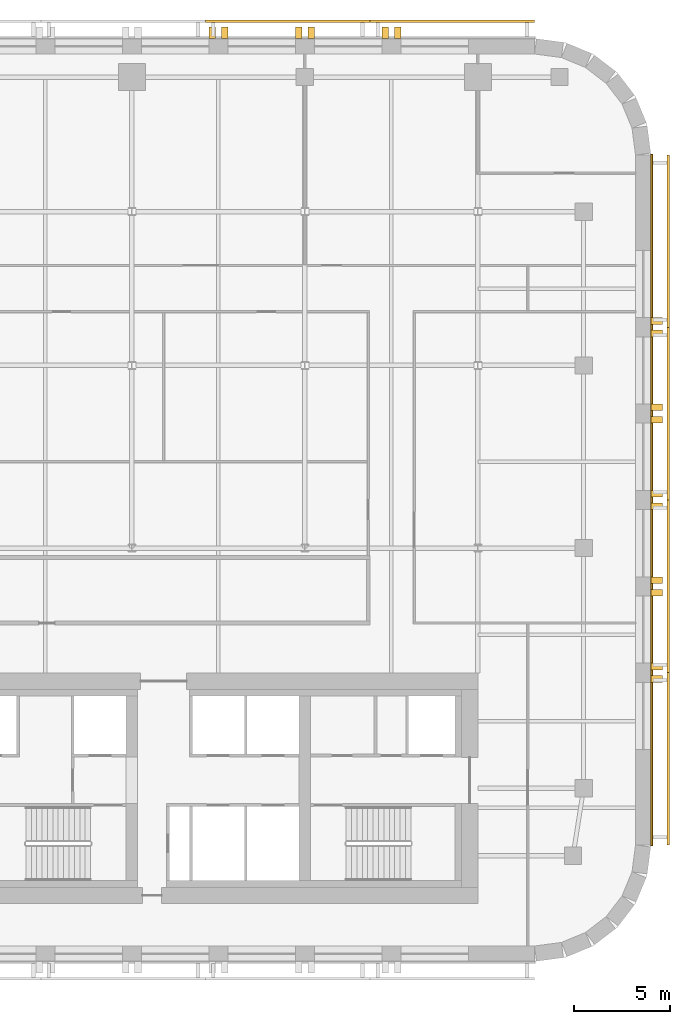
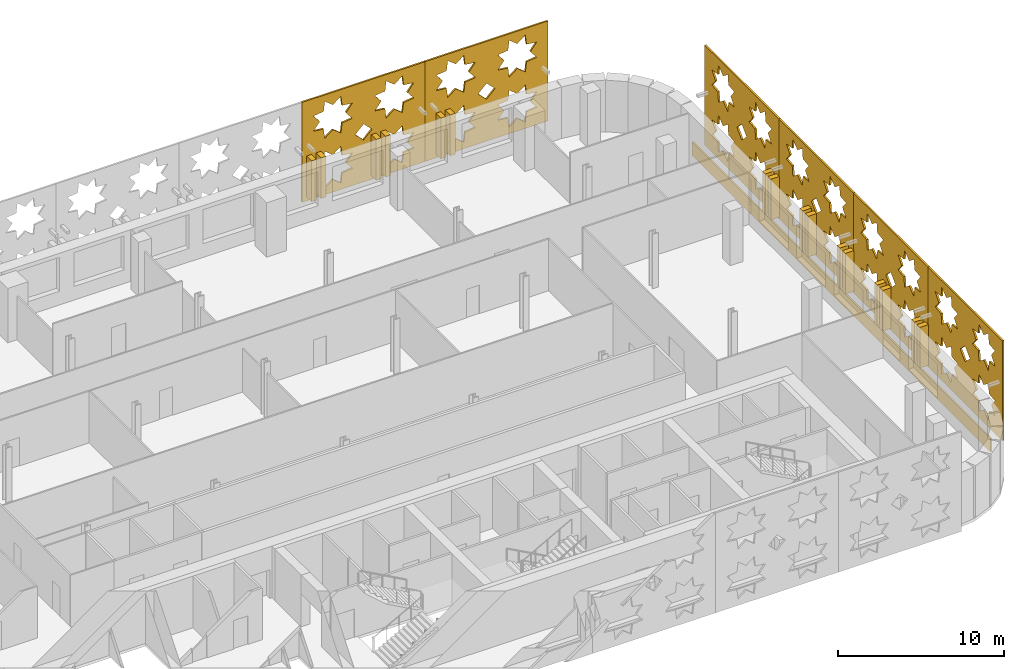
# One storey, part 12 of 12: 23 coverings.
"""IFC4 building model written with IfcOpenShell, lengths in metres."""

from ifc_helpers import new_model, si_unit, direction, frame, origin, place, context, subcontext, project, spatial, polyline, outline, extrude, material, layer, layer_set, type_object, element, save


model = new_model("IFC4")

# Units and contexts
model_context = context("Model", 3, precision=1e-05, world=origin(), true_north=direction((0.0, 1.0)))
body_context = subcontext(model_context, "Body", "Model", "MODEL_VIEW")
ifc_project = project(units=[si_unit("LENGTHUNIT", "METRE"), si_unit("AREAUNIT", "SQUARE_METRE"), si_unit("VOLUMEUNIT", "CUBIC_METRE"), si_unit("PLANEANGLEUNIT", "RADIAN"), si_unit("MASSUNIT", "GRAM", prefix="KILO")], contexts=[model_context])

# Site, building, storey
site_placement = place(None, origin())
site = spatial("IfcSite", under=ifc_project, at=site_placement, CompositionType="ELEMENT")
building_placement = place(site_placement, origin())
building = spatial("IfcBuilding", under=site, at=building_placement, Name="Zellij Exchange Tower", CompositionType="ELEMENT")
storey_placement = place(building_placement, frame((0.0, 0.0, 180.5)))
storey = spatial("IfcBuildingStorey", under=building, at=storey_placement, Name="L41", CompositionType="ELEMENT", Elevation=180.5)

# Coverings
ifc_material_1 = material(Name="Limestone cladding", Category="masonry")
covering_type_1 = type_object("IfcCoveringType", Name="ENV-CV3 Stone pier 350x600", PredefinedType="CLADDING", material=ifc_material_1)
covering_1_placement = place(storey_placement, frame((0.0, 0.0, 0.800048828125)))
element("IfcCovering", 1, at=covering_1_placement, inside=storey, type_object=covering_type_1, Name="Stone pier", PredefinedType="CLADDING", context=body_context, shape_type="SweptSolid", body=[
    extrude(outline(polyline([(36.0, -2.48681640625), (36.0, -2.136962890625), (36.60009765625, -2.136962890625), (36.60009765625, -2.48681640625), (36.0, -2.48681640625)])), origin(), (0.0, 0.0, 1.0), 3.0),
])
covering_2_placement = place(storey_placement, frame((0.0, 0.0, 0.800048828125)))
element("IfcCovering", 2, at=covering_2_placement, inside=storey, type_object=covering_type_1, Name="Stone pier", PredefinedType="CLADDING", context=body_context, shape_type="SweptSolid", body=[
    extrude(outline(polyline([(36.0, -1.8369140625), (36.0, -1.48681640625), (36.60009765625, -1.48681640625), (36.60009765625, -1.8369140625), (36.0, -1.8369140625)])), origin(), (0.0, 0.0, 1.0), 3.0),
])
covering_3_placement = place(storey_placement, frame((0.0, 0.0, 0.800048828125)))
element("IfcCovering", 3, at=covering_3_placement, inside=storey, type_object=covering_type_1, Name="Stone pier", PredefinedType="CLADDING", context=body_context, shape_type="SweptSolid", body=[
    extrude(outline(polyline([(36.0, 2.006591796875), (36.0, 2.3564453125), (36.60009765625, 2.3564453125), (36.60009765625, 2.006591796875), (36.0, 2.006591796875)])), origin(), (0.0, 0.0, 1.0), 3.0),
])
covering_4_placement = place(storey_placement, frame((0.0, 0.0, 0.800048828125)))
element("IfcCovering", 4, at=covering_4_placement, inside=storey, type_object=covering_type_1, Name="Stone pier", PredefinedType="CLADDING", context=body_context, shape_type="SweptSolid", body=[
    extrude(outline(polyline([(36.0, 2.656494140625), (36.0, 3.006591796875), (36.60009765625, 3.006591796875), (36.60009765625, 2.656494140625), (36.0, 2.656494140625)])), origin(), (0.0, 0.0, 1.0), 3.0),
])
covering_5_placement = place(storey_placement, frame((0.0, 0.0, 0.800048828125)))
element("IfcCovering", 5, at=covering_5_placement, inside=storey, type_object=covering_type_1, Name="Stone pier", PredefinedType="CLADDING", context=body_context, shape_type="SweptSolid", body=[
    extrude(outline(polyline([(36.0, 6.5), (36.0, 6.85009765625), (36.60009765625, 6.85009765625), (36.60009765625, 6.5), (36.0, 6.5)])), origin(), (0.0, 0.0, 1.0), 3.0),
])
covering_6_placement = place(storey_placement, frame((0.0, 0.0, 0.800048828125)))
element("IfcCovering", 6, at=covering_6_placement, inside=storey, type_object=covering_type_1, Name="Stone pier", PredefinedType="CLADDING", context=body_context, shape_type="SweptSolid", body=[
    extrude(outline(polyline([(36.0, 7.14990234375), (36.0, 7.5), (36.60009765625, 7.5), (36.60009765625, 7.14990234375), (36.0, 7.14990234375)])), origin(), (0.0, 0.0, 1.0), 3.0),
])
covering_7_placement = place(storey_placement, frame((0.0, 0.0, 0.800048828125)))
element("IfcCovering", 7, at=covering_7_placement, inside=storey, type_object=covering_type_1, Name="Stone pier", PredefinedType="CLADDING", context=body_context, shape_type="SweptSolid", body=[
    extrude(outline(polyline([(36.0, 10.993408203125), (36.0, 11.343505859375), (36.60009765625, 11.343505859375), (36.60009765625, 10.993408203125), (36.0, 10.993408203125)])), origin(), (0.0, 0.0, 1.0), 3.0),
])
covering_8_placement = place(storey_placement, frame((0.0, 0.0, 0.800048828125)))
element("IfcCovering", 8, at=covering_8_placement, inside=storey, type_object=covering_type_1, Name="Stone pier", PredefinedType="CLADDING", context=body_context, shape_type="SweptSolid", body=[
    extrude(outline(polyline([(36.0, 11.643310546875), (36.0, 11.993408203125), (36.60009765625, 11.993408203125), (36.60009765625, 11.643310546875), (36.0, 11.643310546875)])), origin(), (0.0, 0.0, 1.0), 3.0),
])
covering_9_placement = place(storey_placement, frame((0.0, 0.0, 0.800048828125)))
element("IfcCovering", 9, at=covering_9_placement, inside=storey, type_object=covering_type_1, Name="Stone pier", PredefinedType="CLADDING", context=body_context, shape_type="SweptSolid", body=[
    extrude(outline(polyline([(36.0, 15.48681640625), (36.0, 15.8369140625), (36.60009765625, 15.8369140625), (36.60009765625, 15.48681640625), (36.0, 15.48681640625)])), origin(), (0.0, 0.0, 1.0), 3.0),
])
covering_10_placement = place(storey_placement, frame((0.0, 0.0, 0.800048828125)))
element("IfcCovering", 10, at=covering_10_placement, inside=storey, type_object=covering_type_1, Name="Stone pier", PredefinedType="CLADDING", context=body_context, shape_type="SweptSolid", body=[
    extrude(outline(polyline([(36.0, 16.136962890625), (36.0, 16.48681640625), (36.60009765625, 16.48681640625), (36.60009765625, 16.136962890625), (36.0, 16.136962890625)])), origin(), (0.0, 0.0, 1.0), 3.0),
])
covering_11_placement = place(storey_placement, frame((0.0, 0.0, 0.800048828125)))
element("IfcCovering", 11, at=covering_11_placement, inside=storey, type_object=covering_type_1, Name="Stone pier", PredefinedType="CLADDING", context=body_context, shape_type="SweptSolid", body=[
    extrude(outline(polyline([(23.0, 31.0), (22.64990234375, 31.0), (22.64990234375, 31.60009765625), (23.0, 31.60009765625), (23.0, 31.0)])), origin(), (0.0, 0.0, 1.0), 3.0),
])
covering_12_placement = place(storey_placement, frame((0.0, 0.0, 0.800048828125)))
element("IfcCovering", 12, at=covering_12_placement, inside=storey, type_object=covering_type_1, Name="Stone pier", PredefinedType="CLADDING", context=body_context, shape_type="SweptSolid", body=[
    extrude(outline(polyline([(22.35009765625, 31.0), (22.0, 31.0), (22.0, 31.60009765625), (22.35009765625, 31.60009765625), (22.35009765625, 31.0)])), origin(), (0.0, 0.0, 1.0), 3.0),
])
covering_13_placement = place(storey_placement, frame((0.0, 0.0, 0.800048828125)))
element("IfcCovering", 13, at=covering_13_placement, inside=storey, type_object=covering_type_1, Name="Stone pier", PredefinedType="CLADDING", context=body_context, shape_type="SweptSolid", body=[
    extrude(outline(polyline([(18.5, 31.0), (18.14990234375, 31.0), (18.14990234375, 31.60009765625), (18.5, 31.60009765625), (18.5, 31.0)])), origin(), (0.0, 0.0, 1.0), 3.0),
])
covering_14_placement = place(storey_placement, frame((0.0, 0.0, 0.800048828125)))
element("IfcCovering", 14, at=covering_14_placement, inside=storey, type_object=covering_type_1, Name="Stone pier", PredefinedType="CLADDING", context=body_context, shape_type="SweptSolid", body=[
    extrude(outline(polyline([(17.85009765625, 31.0), (17.5, 31.0), (17.5, 31.60009765625), (17.85009765625, 31.60009765625), (17.85009765625, 31.0)])), origin(), (0.0, 0.0, 1.0), 3.0),
])
covering_15_placement = place(storey_placement, frame((0.0, 0.0, 0.800048828125)))
element("IfcCovering", 15, at=covering_15_placement, inside=storey, type_object=covering_type_1, Name="Stone pier", PredefinedType="CLADDING", context=body_context, shape_type="SweptSolid", body=[
    extrude(outline(polyline([(14.0, 31.0), (13.64990234375, 31.0), (13.64990234375, 31.60009765625), (14.0, 31.60009765625), (14.0, 31.0)])), origin(), (0.0, 0.0, 1.0), 3.0),
])
covering_16_placement = place(storey_placement, frame((0.0, 0.0, 0.800048828125)))
element("IfcCovering", 16, at=covering_16_placement, inside=storey, type_object=covering_type_1, Name="Stone pier", PredefinedType="CLADDING", context=body_context, shape_type="SweptSolid", body=[
    extrude(outline(polyline([(13.35009765625, 31.0), (13.0, 31.0), (13.0, 31.60009765625), (13.35009765625, 31.60009765625), (13.35009765625, 31.0)])), origin(), (0.0, 0.0, 1.0), 3.0),
])
ifc_layer_1 = layer(ifc_material_1, 0.10009765625)
ifc_layer_set_1 = layer_set([ifc_layer_1], Name="Limestone cladding")
covering_type_2 = type_object("IfcCoveringType", Name="ENV-CV9 Stone spandrel band 100", PredefinedType="CLADDING", material=ifc_layer_set_1)
covering_17_placement = place(storey_placement, frame((0.0, 0.0, -0.199951171875)))
element("IfcCovering", 17, at=covering_17_placement, inside=storey, type_object=covering_type_2, Name="Stone spandrel band", PredefinedType="CLADDING", context=body_context, shape_type="SweptSolid", body=[
    extrude(outline(polyline([(36.0, -10.973876953125), (36.0, 24.973876953125), (36.10009765625, 24.980224609375), (36.10009765625, -10.980224609375), (36.0, -10.973876953125)])), origin(), (0.0, 0.0, 1.0), 1.0),
])
ifc_material_2 = material(Name="Limestone screen", Category="masonry")
ifc_layer_2 = layer(ifc_material_2, 0.1201171875)
ifc_layer_set_2 = layer_set([ifc_layer_2], Name="Limestone screen")
covering_type_3 = type_object("IfcCoveringType", Name="ENV-SC1 Pierced stone screen 120", PredefinedType="USERDEFINED", material=ifc_layer_set_2)
covering_18_placement = place(storey_placement, frame((29.947509765625, 31.909912109375, 0.300048828125), z_axis=(0.0, 0.0, 1.0), x_axis=(-1.0, 0.0, 0.0)))
element("IfcCovering", 18, at=covering_18_placement, inside=storey, type_object=covering_type_3, Name="Pierced stone screen", ObjectType="SCREEN", PredefinedType="USERDEFINED", context=body_context, shape_type="SweptSolid", body=[
    extrude(outline(polyline([(0.0, 0.0), (8.556396484375, 0.0), (8.556396484375, 7.35009765625), (0.0, 7.35009765625), (0.0, 0.0)]), holes=[polyline([(3.497314453125, 2.39990234375), (2.78369140625, 2.48193359375), (2.70166015625, 3.195556640625), (2.13916015625, 2.748779296875), (1.57666015625, 3.195556640625), (1.49462890625, 2.48193359375), (0.781005859375, 2.39990234375), (1.227783203125, 1.83740234375), (0.781005859375, 1.27490234375), (1.49462890625, 1.193115234375), (1.57666015625, 0.4794921875), (2.13916015625, 0.926025390625), (2.70166015625, 0.4794921875), (2.78369140625, 1.193115234375), (3.497314453125, 1.27490234375), (3.050537109375, 1.83740234375), (3.497314453125, 2.39990234375)]), polyline([(3.497314453125, 6.074951171875), (2.78369140625, 6.156982421875), (2.70166015625, 6.87060546875), (2.13916015625, 6.423828125), (1.57666015625, 6.87060546875), (1.49462890625, 6.156982421875), (0.781005859375, 6.074951171875), (1.227783203125, 5.512451171875), (0.781005859375, 4.949951171875), (1.49462890625, 4.867919921875), (1.57666015625, 4.154296875), (2.13916015625, 4.60107421875), (2.70166015625, 4.154296875), (2.78369140625, 4.867919921875), (3.497314453125, 4.949951171875), (3.050537109375, 5.512451171875), (3.497314453125, 6.074951171875)]), polyline([(7.775390625, 2.39990234375), (7.061767578125, 2.48193359375), (6.97998046875, 3.195556640625), (6.417236328125, 2.748779296875), (5.854736328125, 3.195556640625), (5.77294921875, 2.48193359375), (5.05908203125, 2.39990234375), (5.505859375, 1.83740234375), (5.05908203125, 1.27490234375), (5.77294921875, 1.193115234375), (5.854736328125, 0.4794921875), (6.417236328125, 0.926025390625), (6.97998046875, 0.4794921875), (7.061767578125, 1.193115234375), (7.775390625, 1.27490234375), (7.32861328125, 1.83740234375), (7.775390625, 2.39990234375)]), polyline([(7.775390625, 6.074951171875), (7.061767578125, 6.156982421875), (6.97998046875, 6.87060546875), (6.417236328125, 6.423828125), (5.854736328125, 6.87060546875), (5.77294921875, 6.156982421875), (5.05908203125, 6.074951171875), (5.505859375, 5.512451171875), (5.05908203125, 4.949951171875), (5.77294921875, 4.867919921875), (5.854736328125, 4.154296875), (6.417236328125, 4.60107421875), (6.97998046875, 4.154296875), (7.061767578125, 4.867919921875), (7.775390625, 4.949951171875), (7.32861328125, 5.512451171875), (7.775390625, 6.074951171875)]), polyline([(4.8662109375, 3.675048828125), (4.2783203125, 4.262939453125), (3.690185546875, 3.675048828125), (4.2783203125, 3.0869140625), (4.8662109375, 3.675048828125)])]), frame((0.0, 0.06005859375, 0.0), z_axis=(0.0, -1.0, 0.0), x_axis=(1.0, 0.0, 0.0)), (0.0, 0.0, 1.0), 0.1201171875),
])
covering_19_placement = place(storey_placement, frame((21.39111328125, 31.909912109375, 0.300048828125), z_axis=(0.0, 0.0, 1.0), x_axis=(-1.0, 0.0, 0.0)))
element("IfcCovering", 19, at=covering_19_placement, inside=storey, type_object=covering_type_3, Name="Pierced stone screen", ObjectType="SCREEN", PredefinedType="USERDEFINED", context=body_context, shape_type="SweptSolid", body=[
    extrude(outline(polyline([(0.0, 0.0), (8.556396484375, 0.0), (8.556396484375, 7.35009765625), (0.0, 7.35009765625), (0.0, 0.0)]), holes=[polyline([(3.497314453125, 2.39990234375), (2.78369140625, 2.48193359375), (2.70166015625, 3.195556640625), (2.13916015625, 2.748779296875), (1.57666015625, 3.195556640625), (1.49462890625, 2.48193359375), (0.781005859375, 2.39990234375), (1.227783203125, 1.83740234375), (0.781005859375, 1.27490234375), (1.49462890625, 1.193115234375), (1.57666015625, 0.4794921875), (2.13916015625, 0.926025390625), (2.70166015625, 0.4794921875), (2.78369140625, 1.193115234375), (3.497314453125, 1.27490234375), (3.050537109375, 1.83740234375), (3.497314453125, 2.39990234375)]), polyline([(3.497314453125, 6.074951171875), (2.78369140625, 6.156982421875), (2.70166015625, 6.87060546875), (2.13916015625, 6.423828125), (1.57666015625, 6.87060546875), (1.49462890625, 6.156982421875), (0.781005859375, 6.074951171875), (1.227783203125, 5.512451171875), (0.781005859375, 4.949951171875), (1.49462890625, 4.867919921875), (1.57666015625, 4.154296875), (2.13916015625, 4.60107421875), (2.70166015625, 4.154296875), (2.78369140625, 4.867919921875), (3.497314453125, 4.949951171875), (3.050537109375, 5.512451171875), (3.497314453125, 6.074951171875)]), polyline([(7.775390625, 2.39990234375), (7.061767578125, 2.48193359375), (6.97998046875, 3.195556640625), (6.417236328125, 2.748779296875), (5.854736328125, 3.195556640625), (5.77294921875, 2.48193359375), (5.05908203125, 2.39990234375), (5.505859375, 1.83740234375), (5.05908203125, 1.27490234375), (5.77294921875, 1.193115234375), (5.854736328125, 0.4794921875), (6.417236328125, 0.926025390625), (6.97998046875, 0.4794921875), (7.061767578125, 1.193115234375), (7.775390625, 1.27490234375), (7.32861328125, 1.83740234375), (7.775390625, 2.39990234375)]), polyline([(7.775390625, 6.074951171875), (7.061767578125, 6.156982421875), (6.97998046875, 6.87060546875), (6.417236328125, 6.423828125), (5.854736328125, 6.87060546875), (5.77294921875, 6.156982421875), (5.05908203125, 6.074951171875), (5.505859375, 5.512451171875), (5.05908203125, 4.949951171875), (5.77294921875, 4.867919921875), (5.854736328125, 4.154296875), (6.417236328125, 4.60107421875), (6.97998046875, 4.154296875), (7.061767578125, 4.867919921875), (7.775390625, 4.949951171875), (7.32861328125, 5.512451171875), (7.775390625, 6.074951171875)]), polyline([(4.8662109375, 3.675048828125), (4.2783203125, 4.262939453125), (3.690185546875, 3.675048828125), (4.2783203125, 3.0869140625), (4.8662109375, 3.675048828125)])]), frame((0.0, 0.06005859375, 0.0), z_axis=(0.0, -1.0, 0.0), x_axis=(1.0, 0.0, 0.0)), (0.0, 0.0, 1.0), 0.1201171875),
])
covering_20_placement = place(storey_placement, frame((36.909912109375, -10.947509765625, 0.300048828125), z_axis=(0.0, 0.0, 1.0), x_axis=(0.0, 1.0, 0.0)))
element("IfcCovering", 20, at=covering_20_placement, inside=storey, type_object=covering_type_3, Name="Pierced stone screen", ObjectType="SCREEN", PredefinedType="USERDEFINED", context=body_context, shape_type="SweptSolid", body=[
    extrude(outline(polyline([(0.0, 0.0), (8.973876953125, 0.0), (8.973876953125, 7.35009765625), (0.0, 7.35009765625), (0.0, 0.0)]), holes=[polyline([(3.6015625, 2.39990234375), (2.887939453125, 2.48193359375), (2.805908203125, 3.195556640625), (2.243408203125, 2.748779296875), (1.680908203125, 3.195556640625), (1.59912109375, 2.48193359375), (0.88525390625, 2.39990234375), (1.33203125, 1.83740234375), (0.88525390625, 1.27490234375), (1.59912109375, 1.193115234375), (1.680908203125, 0.4794921875), (2.243408203125, 0.926025390625), (2.805908203125, 0.4794921875), (2.887939453125, 1.193115234375), (3.6015625, 1.27490234375), (3.15478515625, 1.83740234375), (3.6015625, 2.39990234375)]), polyline([(3.6015625, 6.074951171875), (2.887939453125, 6.156982421875), (2.805908203125, 6.87060546875), (2.243408203125, 6.423828125), (1.680908203125, 6.87060546875), (1.59912109375, 6.156982421875), (0.88525390625, 6.074951171875), (1.33203125, 5.512451171875), (0.88525390625, 4.949951171875), (1.59912109375, 4.867919921875), (1.680908203125, 4.154296875), (2.243408203125, 4.60107421875), (2.805908203125, 4.154296875), (2.887939453125, 4.867919921875), (3.6015625, 4.949951171875), (3.15478515625, 5.512451171875), (3.6015625, 6.074951171875)]), polyline([(8.08837890625, 2.39990234375), (7.374755859375, 2.48193359375), (7.29296875, 3.195556640625), (6.730224609375, 2.748779296875), (6.167724609375, 3.195556640625), (6.0859375, 2.48193359375), (5.372314453125, 2.39990234375), (5.81884765625, 1.83740234375), (5.372314453125, 1.27490234375), (6.0859375, 1.193115234375), (6.167724609375, 0.4794921875), (6.730224609375, 0.926025390625), (7.29296875, 0.4794921875), (7.374755859375, 1.193115234375), (8.08837890625, 1.27490234375), (7.6416015625, 1.83740234375), (8.08837890625, 2.39990234375)]), polyline([(8.08837890625, 6.074951171875), (7.374755859375, 6.156982421875), (7.29296875, 6.87060546875), (6.730224609375, 6.423828125), (6.167724609375, 6.87060546875), (6.0859375, 6.156982421875), (5.372314453125, 6.074951171875), (5.81884765625, 5.512451171875), (5.372314453125, 4.949951171875), (6.0859375, 4.867919921875), (6.167724609375, 4.154296875), (6.730224609375, 4.60107421875), (7.29296875, 4.154296875), (7.374755859375, 4.867919921875), (8.08837890625, 4.949951171875), (7.6416015625, 5.512451171875), (8.08837890625, 6.074951171875)]), polyline([(5.074951171875, 3.675048828125), (4.48681640625, 4.262939453125), (3.89892578125, 3.675048828125), (4.48681640625, 3.0869140625), (5.074951171875, 3.675048828125)])]), frame((0.0, 0.06005859375, 0.0), z_axis=(0.0, -1.0, 0.0), x_axis=(1.0, 0.0, 0.0)), (0.0, 0.0, 1.0), 0.1201171875),
])
covering_21_placement = place(storey_placement, frame((36.909912109375, -1.973876953125, 0.300048828125), z_axis=(0.0, 0.0, 1.0), x_axis=(0.0, 1.0, 0.0)))
element("IfcCovering", 21, at=covering_21_placement, inside=storey, type_object=covering_type_3, Name="Pierced stone screen", ObjectType="SCREEN", PredefinedType="USERDEFINED", context=body_context, shape_type="SweptSolid", body=[
    extrude(outline(polyline([(0.0, 0.0), (8.973876953125, 0.0), (8.973876953125, 7.35009765625), (0.0, 7.35009765625), (0.0, 0.0)]), holes=[polyline([(3.6015625, 2.39990234375), (2.887939453125, 2.48193359375), (2.805908203125, 3.195556640625), (2.243408203125, 2.748779296875), (1.680908203125, 3.195556640625), (1.59912109375, 2.48193359375), (0.88525390625, 2.39990234375), (1.33203125, 1.83740234375), (0.88525390625, 1.27490234375), (1.59912109375, 1.193115234375), (1.680908203125, 0.4794921875), (2.243408203125, 0.926025390625), (2.805908203125, 0.4794921875), (2.887939453125, 1.193115234375), (3.6015625, 1.27490234375), (3.15478515625, 1.83740234375), (3.6015625, 2.39990234375)]), polyline([(3.6015625, 6.074951171875), (2.887939453125, 6.156982421875), (2.805908203125, 6.87060546875), (2.243408203125, 6.423828125), (1.680908203125, 6.87060546875), (1.59912109375, 6.156982421875), (0.88525390625, 6.074951171875), (1.33203125, 5.512451171875), (0.88525390625, 4.949951171875), (1.59912109375, 4.867919921875), (1.680908203125, 4.154296875), (2.243408203125, 4.60107421875), (2.805908203125, 4.154296875), (2.887939453125, 4.867919921875), (3.6015625, 4.949951171875), (3.15478515625, 5.512451171875), (3.6015625, 6.074951171875)]), polyline([(8.08837890625, 2.39990234375), (7.374755859375, 2.48193359375), (7.29296875, 3.195556640625), (6.730224609375, 2.748779296875), (6.167724609375, 3.195556640625), (6.0859375, 2.48193359375), (5.372314453125, 2.39990234375), (5.81884765625, 1.83740234375), (5.372314453125, 1.27490234375), (6.0859375, 1.193115234375), (6.167724609375, 0.4794921875), (6.730224609375, 0.926025390625), (7.29296875, 0.4794921875), (7.374755859375, 1.193115234375), (8.08837890625, 1.27490234375), (7.6416015625, 1.83740234375), (8.08837890625, 2.39990234375)]), polyline([(8.08837890625, 6.074951171875), (7.374755859375, 6.156982421875), (7.29296875, 6.87060546875), (6.730224609375, 6.423828125), (6.167724609375, 6.87060546875), (6.0859375, 6.156982421875), (5.372314453125, 6.074951171875), (5.81884765625, 5.512451171875), (5.372314453125, 4.949951171875), (6.0859375, 4.867919921875), (6.167724609375, 4.154296875), (6.730224609375, 4.60107421875), (7.29296875, 4.154296875), (7.374755859375, 4.867919921875), (8.08837890625, 4.949951171875), (7.6416015625, 5.512451171875), (8.08837890625, 6.074951171875)]), polyline([(5.074951171875, 3.675048828125), (4.48681640625, 4.262939453125), (3.89892578125, 3.675048828125), (4.48681640625, 3.0869140625), (5.074951171875, 3.675048828125)])]), frame((0.0, 0.06005859375, 0.0), z_axis=(0.0, -1.0, 0.0), x_axis=(1.0, 0.0, 0.0)), (0.0, 0.0, 1.0), 0.1201171875),
])
covering_22_placement = place(storey_placement, frame((36.909912109375, 7.0, 0.300048828125), z_axis=(0.0, 0.0, 1.0), x_axis=(0.0, 1.0, 0.0)))
element("IfcCovering", 22, at=covering_22_placement, inside=storey, type_object=covering_type_3, Name="Pierced stone screen", ObjectType="SCREEN", PredefinedType="USERDEFINED", context=body_context, shape_type="SweptSolid", body=[
    extrude(outline(polyline([(0.0, 0.0), (8.973876953125, 0.0), (8.973876953125, 7.35009765625), (0.0, 7.35009765625), (0.0, 0.0)]), holes=[polyline([(3.6015625, 2.39990234375), (2.887939453125, 2.48193359375), (2.805908203125, 3.195556640625), (2.243408203125, 2.748779296875), (1.680908203125, 3.195556640625), (1.59912109375, 2.48193359375), (0.88525390625, 2.39990234375), (1.33203125, 1.83740234375), (0.88525390625, 1.27490234375), (1.59912109375, 1.193115234375), (1.680908203125, 0.4794921875), (2.243408203125, 0.926025390625), (2.805908203125, 0.4794921875), (2.887939453125, 1.193115234375), (3.6015625, 1.27490234375), (3.15478515625, 1.83740234375), (3.6015625, 2.39990234375)]), polyline([(3.6015625, 6.074951171875), (2.887939453125, 6.156982421875), (2.805908203125, 6.87060546875), (2.243408203125, 6.423828125), (1.680908203125, 6.87060546875), (1.59912109375, 6.156982421875), (0.88525390625, 6.074951171875), (1.33203125, 5.512451171875), (0.88525390625, 4.949951171875), (1.59912109375, 4.867919921875), (1.680908203125, 4.154296875), (2.243408203125, 4.60107421875), (2.805908203125, 4.154296875), (2.887939453125, 4.867919921875), (3.6015625, 4.949951171875), (3.15478515625, 5.512451171875), (3.6015625, 6.074951171875)]), polyline([(8.08837890625, 2.39990234375), (7.374755859375, 2.48193359375), (7.29296875, 3.195556640625), (6.730224609375, 2.748779296875), (6.167724609375, 3.195556640625), (6.0859375, 2.48193359375), (5.372314453125, 2.39990234375), (5.81884765625, 1.83740234375), (5.372314453125, 1.27490234375), (6.0859375, 1.193115234375), (6.167724609375, 0.4794921875), (6.730224609375, 0.926025390625), (7.29296875, 0.4794921875), (7.374755859375, 1.193115234375), (8.08837890625, 1.27490234375), (7.6416015625, 1.83740234375), (8.08837890625, 2.39990234375)]), polyline([(8.08837890625, 6.074951171875), (7.374755859375, 6.156982421875), (7.29296875, 6.87060546875), (6.730224609375, 6.423828125), (6.167724609375, 6.87060546875), (6.0859375, 6.156982421875), (5.372314453125, 6.074951171875), (5.81884765625, 5.512451171875), (5.372314453125, 4.949951171875), (6.0859375, 4.867919921875), (6.167724609375, 4.154296875), (6.730224609375, 4.60107421875), (7.29296875, 4.154296875), (7.374755859375, 4.867919921875), (8.08837890625, 4.949951171875), (7.6416015625, 5.512451171875), (8.08837890625, 6.074951171875)]), polyline([(5.074951171875, 3.675048828125), (4.48681640625, 4.262939453125), (3.89892578125, 3.675048828125), (4.48681640625, 3.0869140625), (5.074951171875, 3.675048828125)])]), frame((0.0, 0.06005859375, 0.0), z_axis=(0.0, -1.0, 0.0), x_axis=(1.0, 0.0, 0.0)), (0.0, 0.0, 1.0), 0.1201171875),
])
covering_23_placement = place(storey_placement, frame((36.909912109375, 15.973876953125, 0.300048828125), z_axis=(0.0, 0.0, 1.0), x_axis=(0.0, 1.0, 0.0)))
element("IfcCovering", 23, at=covering_23_placement, inside=storey, type_object=covering_type_3, Name="Pierced stone screen", ObjectType="SCREEN", PredefinedType="USERDEFINED", context=body_context, shape_type="SweptSolid", body=[
    extrude(outline(polyline([(0.0, 0.0), (8.973876953125, 0.0), (8.973876953125, 7.35009765625), (0.0, 7.35009765625), (0.0, 0.0)]), holes=[polyline([(3.6015625, 2.39990234375), (2.887939453125, 2.48193359375), (2.805908203125, 3.195556640625), (2.243408203125, 2.748779296875), (1.680908203125, 3.195556640625), (1.59912109375, 2.48193359375), (0.88525390625, 2.39990234375), (1.33203125, 1.83740234375), (0.88525390625, 1.27490234375), (1.59912109375, 1.193115234375), (1.680908203125, 0.4794921875), (2.243408203125, 0.926025390625), (2.805908203125, 0.4794921875), (2.887939453125, 1.193115234375), (3.6015625, 1.27490234375), (3.15478515625, 1.83740234375), (3.6015625, 2.39990234375)]), polyline([(3.6015625, 6.074951171875), (2.887939453125, 6.156982421875), (2.805908203125, 6.87060546875), (2.243408203125, 6.423828125), (1.680908203125, 6.87060546875), (1.59912109375, 6.156982421875), (0.88525390625, 6.074951171875), (1.33203125, 5.512451171875), (0.88525390625, 4.949951171875), (1.59912109375, 4.867919921875), (1.680908203125, 4.154296875), (2.243408203125, 4.60107421875), (2.805908203125, 4.154296875), (2.887939453125, 4.867919921875), (3.6015625, 4.949951171875), (3.15478515625, 5.512451171875), (3.6015625, 6.074951171875)]), polyline([(8.08837890625, 2.39990234375), (7.374755859375, 2.48193359375), (7.29296875, 3.195556640625), (6.730224609375, 2.748779296875), (6.167724609375, 3.195556640625), (6.0859375, 2.48193359375), (5.372314453125, 2.39990234375), (5.81884765625, 1.83740234375), (5.372314453125, 1.27490234375), (6.0859375, 1.193115234375), (6.167724609375, 0.4794921875), (6.730224609375, 0.926025390625), (7.29296875, 0.4794921875), (7.374755859375, 1.193115234375), (8.08837890625, 1.27490234375), (7.6416015625, 1.83740234375), (8.08837890625, 2.39990234375)]), polyline([(8.08837890625, 6.074951171875), (7.374755859375, 6.156982421875), (7.29296875, 6.87060546875), (6.730224609375, 6.423828125), (6.167724609375, 6.87060546875), (6.0859375, 6.156982421875), (5.372314453125, 6.074951171875), (5.81884765625, 5.512451171875), (5.372314453125, 4.949951171875), (6.0859375, 4.867919921875), (6.167724609375, 4.154296875), (6.730224609375, 4.60107421875), (7.29296875, 4.154296875), (7.374755859375, 4.867919921875), (8.08837890625, 4.949951171875), (7.6416015625, 5.512451171875), (8.08837890625, 6.074951171875)]), polyline([(5.074951171875, 3.675048828125), (4.48681640625, 4.262939453125), (3.89892578125, 3.675048828125), (4.48681640625, 3.0869140625), (5.074951171875, 3.675048828125)])]), frame((0.0, 0.06005859375, 0.0), z_axis=(0.0, -1.0, 0.0), x_axis=(1.0, 0.0, 0.0)), (0.0, 0.0, 1.0), 0.1201171875),
])

save(model, "model.ifc")
